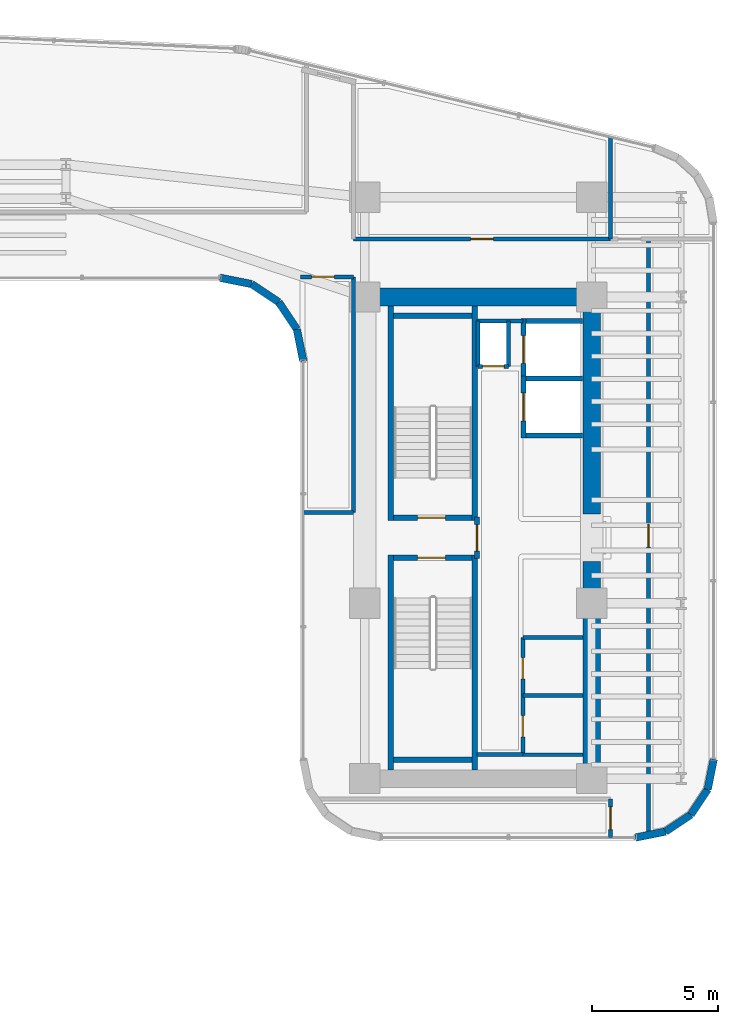
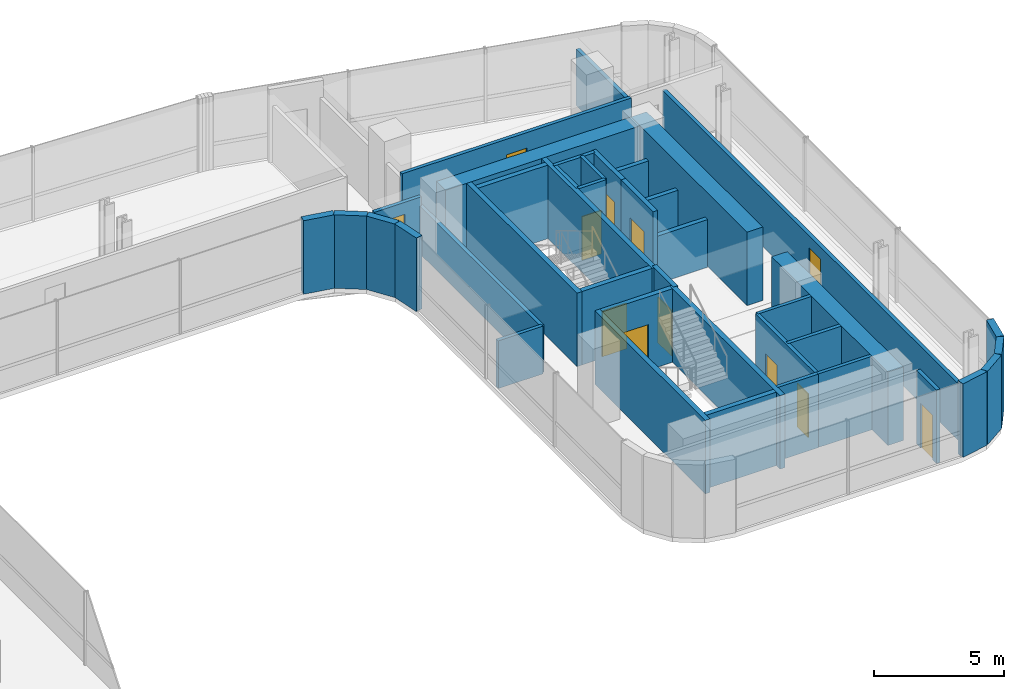
# One storey, part 29 of 35: 41 walls, 12 doors, 12 openings.
"""IFC4 building model written with IfcOpenShell, lengths in metres."""

from ifc_helpers import new_model, si_unit, direction, frame, frame_2d, origin, place, context, subcontext, project, spatial, rectangle, extrude, material, layer, layer_set, type_object, element, fill, save


model = new_model("IFC4")

# Units and contexts
model_context = context("Model", 3, precision=1e-05, world=origin(), true_north=direction((0.0, 1.0)))
body_context = subcontext(model_context, "Body", "Model", "MODEL_VIEW")
ifc_project = project(units=[si_unit("LENGTHUNIT", "METRE"), si_unit("AREAUNIT", "SQUARE_METRE"), si_unit("VOLUMEUNIT", "CUBIC_METRE"), si_unit("PLANEANGLEUNIT", "RADIAN"), si_unit("MASSUNIT", "GRAM", prefix="KILO")], contexts=[model_context])

# Site, building, storey
site_placement = place(None, origin())
site = spatial("IfcSite", under=ifc_project, at=site_placement, CompositionType="ELEMENT")
building_placement = place(site_placement, origin())
building = spatial("IfcBuilding", under=site, at=building_placement, Name="Valdorenza Pilgrim Sanctuary Tower", CompositionType="ELEMENT")
storey_placement = place(building_placement, frame((0.0, 0.0, 124.199951171875)))
storey = spatial("IfcBuildingStorey", under=building, at=storey_placement, Name="L31", CompositionType="ELEMENT", Elevation=124.199951171875)

# Wall, opening, door
ifc_material_1 = material(Name="Acoustic twin-stud gypsum partition", Category="gypsum")
ifc_layer_1 = layer(ifc_material_1, 0.159912109375, Name="Acoustic twin-stud gypsum partition")
ifc_layer_set_1 = layer_set([ifc_layer_1], Name="Acoustic twin-stud gypsum partition")
wall_type_1 = type_object("IfcWallType", Name="WAL-COR-160", PredefinedType="PARTITIONING", material=ifc_layer_set_1)
wall_1_placement = place(storey_placement, frame((20.35009765625, 6.800048828125, 0.0), z_axis=(0.0, 0.0, 1.0), x_axis=(1.0, 0.0, 0.0)))
wall_1 = element("IfcWall", 1, at=wall_1_placement, inside=storey, type_object=wall_type_1, Name="L31 Core B Riser South Wall", PredefinedType="PARTITIONING", context=body_context, shape_type="SweptSolid", body=[
    extrude(rectangle(XDim=1.199951171875, YDim=0.159912109375, at=frame_2d((0.60009765625, 0.0))), origin(), (0.0, 0.0, 1.0), 3.4599609375),
])
opening_1_placement = place(wall_1_placement, frame((0.175048828125, 0.0, 0.0)))
opening_1 = element("IfcOpeningElement", 2, at=opening_1_placement, cuts=wall_1, Name="Opening DR-RS1", PredefinedType="OPENING", context=body_context, shape_type="SweptSolid", body=[
    extrude(rectangle(XDim=0.85009765625, YDim=2.050048828125, at=frame_2d((0.425048828125, 1.02490234375))), frame((0.0, 0.0947265625, 0.0), z_axis=(0.0, -1.0, 0.0), x_axis=(1.0, 0.0, 0.0)), (0.0, 0.0, 1.0), 0.189697265625),
])
ifc_material_2 = material(Name="Painted galvanized steel", Category="steel")
door_type_1 = type_object("IfcDoorType", Name="DR-RSR-850", OperationType="NOTDEFINED", PredefinedType="DOOR", material=ifc_material_2)
door_1_placement = place(opening_1_placement, origin())
door_1 = element("IfcDoor", 3, at=door_1_placement, inside=storey, type_object=door_type_1, Name="L31 Core B Electrical Riser Door", OperationType="SINGLE_SWING_LEFT", OverallHeight=2.050048828125, OverallWidth=0.85009765625, PredefinedType="DOOR", context=body_context, shape_type="SweptSolid", body=[
    extrude(rectangle(XDim=0.85009765625, YDim=2.050048828125, at=frame_2d((0.425048828125, 1.02490234375))), frame((0.0, 0.02490234375, 0.0), z_axis=(0.0, -1.0, 0.0), x_axis=(1.0, 0.0, 0.0)), (0.0, 0.0, 1.0), 0.050048828125),
])
fill(opening_1, door_1)

# Walls
for number, where, z_axis, x_axis, name in (
    (4, (21.550048828125, 6.800048828125, 0.0), (0.0, 0.0, 1.0), (0.0, 1.0, 0.0), "L31 Core B Riser East Wall"),
    (5, (20.35009765625, 6.800048828125, 0.0), (0.0, 0.0, 1.0), (0.0, 1.0, 0.0), "L31 Core B Riser West Wall"),
):
    element("IfcWall", number, at=place(storey_placement, frame(where, z_axis=z_axis, x_axis=x_axis)), inside=storey, type_object=wall_type_1, Name=name, PredefinedType="PARTITIONING", context=body_context, shape_type="SweptSolid", body=[
        extrude(rectangle(XDim=1.800048828125, YDim=0.159912109375, at=frame_2d((0.89990234375, 0.0))), origin(), (0.0, 0.0, 1.0), 3.4599609375),
    ])
for number, where, z_axis, x_axis, name in (
    (6, (20.300048828125, -8.60009765625, 0.0), (0.0, 0.0, 1.0), (1.0, 0.0, 0.0), "L31 Core B Lift Hall South End Wall"),
    (7, (20.300048828125, 8.60009765625, 0.0), (0.0, 0.0, 1.0), (1.0, 0.0, 0.0), "L31 Core B Lift Hall North End Wall"),
):
    element("IfcWall", number, at=place(storey_placement, frame(where, z_axis=z_axis, x_axis=x_axis)), inside=storey, type_object=wall_type_1, Name=name, PredefinedType="PARTITIONING", context=body_context, shape_type="SweptSolid", body=[
        extrude(rectangle(XDim=1.820068359375, YDim=0.159912109375, at=frame_2d((0.91015625, 0.0))), origin(), (0.0, 0.0, 1.0), 3.4599609375),
    ])

# Wall, openings, doors
wall_2_placement = place(storey_placement, frame((22.1201171875, -8.60009765625, 0.0), z_axis=(0.0, 0.0, 1.0), x_axis=(0.0, 1.0, 0.0)))
wall_2 = element("IfcWall", 8, at=wall_2_placement, inside=storey, type_object=wall_type_1, Name="L31 Core B Freed Shaft West Wall", PredefinedType="PARTITIONING", context=body_context, shape_type="SweptSolid", body=[
    extrude(rectangle(XDim=4.650146484375, YDim=0.159912109375, at=frame_2d((2.3251953125, 0.0))), origin(), (0.0, 0.0, 1.0), 3.4599609375),
])
opening_2_placement = place(wall_2_placement, frame((0.699951171875, 0.0, 0.0)))
opening_2 = element("IfcOpeningElement", 9, at=opening_2_placement, cuts=wall_2, Name="Opening DR-RS1", PredefinedType="OPENING", context=body_context, shape_type="SweptSolid", body=[
    extrude(rectangle(XDim=0.85009765625, YDim=2.050048828125, at=frame_2d((0.425048828125, 1.02490234375))), frame((0.0, 0.0947265625, 0.0), z_axis=(0.0, -1.0, 0.0), x_axis=(1.0, 0.0, 0.0)), (0.0, 0.0, 1.0), 0.189697265625),
])
opening_3_placement = place(wall_2_placement, frame((3.0, 0.0, 0.0)))
opening_3 = element("IfcOpeningElement", 10, at=opening_3_placement, cuts=wall_2, Name="Opening DR-RS1", PredefinedType="OPENING", context=body_context, shape_type="SweptSolid", body=[
    extrude(rectangle(XDim=0.85009765625, YDim=2.050048828125, at=frame_2d((0.425048828125, 1.02490234375))), frame((0.0, 0.0947265625, 0.0), z_axis=(0.0, -1.0, 0.0), x_axis=(1.0, 0.0, 0.0)), (0.0, 0.0, 1.0), 0.189697265625),
])
door_2_placement = place(opening_2_placement, origin())
door_2 = element("IfcDoor", 11, at=door_2_placement, inside=storey, type_object=door_type_1, Name="L31 East Core Housekeeping Store Door", OperationType="SINGLE_SWING_RIGHT", OverallHeight=2.050048828125, OverallWidth=0.85009765625, PredefinedType="DOOR", context=body_context, shape_type="SweptSolid", body=[
    extrude(rectangle(XDim=0.85009765625, YDim=2.050048828125, at=frame_2d((0.425048828125, 1.02490234375))), frame((0.0, 0.02490234375, 0.0), z_axis=(0.0, -1.0, 0.0), x_axis=(1.0, 0.0, 0.0)), (0.0, 0.0, 1.0), 0.050048828125),
])
fill(opening_2, door_2)
door_3_placement = place(opening_3_placement, origin())
door_3 = element("IfcDoor", 12, at=door_3_placement, inside=storey, type_object=door_type_1, Name="L31 East Core Tea Pantry Door", OperationType="SINGLE_SWING_LEFT", OverallHeight=2.050048828125, OverallWidth=0.85009765625, PredefinedType="DOOR", context=body_context, shape_type="SweptSolid", body=[
    extrude(rectangle(XDim=0.85009765625, YDim=2.050048828125, at=frame_2d((0.425048828125, 1.02490234375))), frame((0.0, 0.02490234375, 0.0), z_axis=(0.0, -1.0, 0.0), x_axis=(1.0, 0.0, 0.0)), (0.0, 0.0, 1.0), 0.050048828125),
])
fill(opening_3, door_3)

# Wall
wall_3_placement = place(storey_placement, frame((22.1201171875, -6.25, 0.0), z_axis=(0.0, 0.0, 1.0), x_axis=(1.0, 0.0, 0.0)))
element("IfcWall", 13, at=wall_3_placement, inside=storey, type_object=wall_type_1, Name="L31 Core B Freed Split", PredefinedType="PARTITIONING", context=body_context, shape_type="SweptSolid", body=[
    extrude(rectangle(XDim=2.3798828125, YDim=0.159912109375, at=frame_2d((1.18994140625, 0.0))), origin(), (0.0, 0.0, 1.0), 3.4599609375),
])

# Wall, opening, door
wall_4_placement = place(storey_placement, frame((15.39990234375, 11.85009765625, 0.0), z_axis=(0.0, 0.0, 1.0), x_axis=(1.0, 0.0, 0.0)))
wall_4 = element("IfcWall", 14, at=wall_4_placement, inside=storey, type_object=wall_type_1, Name="L31 Wing B North Corridor Wall", PredefinedType="PARTITIONING", context=body_context, shape_type="SweptSolid", body=[
    extrude(rectangle(XDim=10.2001953125, YDim=0.159912109375, at=frame_2d((5.10009765625, 0.0))), origin(), (0.0, 0.0, 1.0), 2.833984375),
])
opening_4_placement = place(wall_4_placement, frame((4.64990234375, 0.0, 0.0)))
opening_4 = element("IfcOpeningElement", 15, at=opening_4_placement, cuts=wall_4, Name="Opening DR-RM1", PredefinedType="OPENING", context=body_context, shape_type="SweptSolid", body=[
    extrude(rectangle(XDim=0.89990234375, YDim=2.10009765625, at=frame_2d((0.449951171875, 1.050048828125))), frame((0.0, 0.0947265625, 0.0), z_axis=(0.0, -1.0, 0.0), x_axis=(1.0, 0.0, 0.0)), (0.0, 0.0, 1.0), 0.189697265625),
])
ifc_material_3 = material(Name="Solid-core European oak timber", Category="wood")
door_type_2 = type_object("IfcDoorType", Name="DR-ROOM-900", OperationType="NOTDEFINED", PredefinedType="DOOR", material=ifc_material_3)
door_4_placement = place(opening_4_placement, origin())
door_4 = element("IfcDoor", 16, at=door_4_placement, inside=storey, type_object=door_type_2, Name="L31 Curator Research Office L31-BN1 Door", OperationType="SINGLE_SWING_RIGHT", OverallHeight=2.10009765625, OverallWidth=0.89990234375, PredefinedType="DOOR", context=body_context, shape_type="SweptSolid", body=[
    extrude(rectangle(XDim=0.89990234375, YDim=2.10009765625, at=frame_2d((0.449951171875, 1.050048828125))), frame((0.0, 0.02490234375, 0.0), z_axis=(0.0, -1.0, 0.0), x_axis=(1.0, 0.0, 0.0)), (0.0, 0.0, 1.0), 0.050048828125),
])
fill(opening_4, door_4)

# Wall
wall_5_placement = place(storey_placement, frame((25.60009765625, 11.85009765625, 0.0), z_axis=(0.0, 0.0, 1.0), x_axis=(0.0, 1.0, 0.0)))
element("IfcWall", 17, at=wall_5_placement, inside=storey, type_object=wall_type_1, Name="L31 Wing B North East Wall", PredefinedType="PARTITIONING", context=body_context, shape_type="SweptSolid", body=[
    extrude(rectangle(XDim=4.042236328125, YDim=0.159912109375, at=frame_2d((2.02099609375, 0.0))), origin(), (0.0, 0.0, 1.0), 2.666015625),
])

# Wall, opening, door
wall_6_placement = place(storey_placement, frame((25.60009765625, -11.889892578125, 0.0), z_axis=(0.0, 0.0, 1.0), x_axis=(0.0, 1.0, 0.0)))
wall_6 = element("IfcWall", 18, at=wall_6_placement, inside=storey, type_object=wall_type_1, Name="L31 Wing B South-East Wall", PredefinedType="PARTITIONING", context=body_context, shape_type="SweptSolid", body=[
    extrude(rectangle(XDim=1.539794921875, YDim=0.159912109375, at=frame_2d((0.77001953125, 0.0))), origin(), (0.0, 0.0, 1.0), 3.4599609375),
])
opening_5_placement = place(wall_6_placement, frame((0.320068359375, 0.0, 0.0)))
opening_5 = element("IfcOpeningElement", 19, at=opening_5_placement, cuts=wall_6, Name="Opening DR-RM1", PredefinedType="OPENING", context=body_context, shape_type="SweptSolid", body=[
    extrude(rectangle(XDim=0.89990234375, YDim=2.10009765625, at=frame_2d((0.449951171875, 1.050048828125))), frame((0.0, 0.0947265625, 0.0), z_axis=(0.0, -1.0, 0.0), x_axis=(1.0, 0.0, 0.0)), (0.0, 0.0, 1.0), 0.189697265625),
])
door_5_placement = place(opening_5_placement, frame((0.89990234375, 0.0, 0.0), z_axis=(0.0, 0.0, 1.0), x_axis=(-1.0, 0.0, 0.0)))
door_5 = element("IfcDoor", 20, at=door_5_placement, inside=storey, type_object=door_type_2, Name="L31 Sacred Manuscript Archive L31-BS Door", OperationType="SINGLE_SWING_LEFT", OverallHeight=2.10009765625, OverallWidth=0.89990234375, PredefinedType="DOOR", context=body_context, shape_type="SweptSolid", body=[
    extrude(rectangle(XDim=0.89990234375, YDim=2.10009765625, at=frame_2d((0.449951171875, 1.050048828125))), frame((0.0, 0.02490234375, 0.0), z_axis=(0.0, -1.0, 0.0), x_axis=(1.0, 0.0, 0.0)), (0.0, 0.0, 1.0), 0.050048828125),
])
fill(opening_5, door_5)

wall_7_placement = place(storey_placement, frame((27.10009765625, -11.660888671875, 0.0), z_axis=(0.0, 0.0, 1.0), x_axis=(0.0, 1.0, 0.0)))
wall_7 = element("IfcWall", 21, at=wall_7_placement, inside=storey, type_object=wall_type_1, Name="L31 Wing B East Corridor Wall", PredefinedType="PARTITIONING", context=body_context, shape_type="SweptSolid", body=[
    extrude(rectangle(XDim=23.510986328125, YDim=0.159912109375, at=frame_2d((11.75537109375, 0.0))), origin(), (0.0, 0.0, 1.0), 2.666015625),
])
opening_6_placement = place(wall_7_placement, frame((11.304931640625, 0.0, 0.0)))
opening_6 = element("IfcOpeningElement", 22, at=opening_6_placement, cuts=wall_7, Name="Opening DR-RM1", PredefinedType="OPENING", context=body_context, shape_type="SweptSolid", body=[
    extrude(rectangle(XDim=0.89990234375, YDim=2.10009765625, at=frame_2d((0.449951171875, 1.050048828125))), frame((0.0, 0.0947265625, 0.0), z_axis=(0.0, -1.0, 0.0), x_axis=(1.0, 0.0, 0.0)), (0.0, 0.0, 1.0), 0.189697265625),
])
door_6_placement = place(opening_6_placement, frame((0.89990234375, 0.0, 0.0), z_axis=(0.0, 0.0, 1.0), x_axis=(-1.0, 0.0, 0.0)))
door_6 = element("IfcDoor", 23, at=door_6_placement, inside=storey, type_object=door_type_2, Name="L31 Open Plan Scholar Office L31-EB1 Door", OperationType="SINGLE_SWING_LEFT", OverallHeight=2.10009765625, OverallWidth=0.89990234375, PredefinedType="DOOR", context=body_context, shape_type="SweptSolid", body=[
    extrude(rectangle(XDim=0.89990234375, YDim=2.10009765625, at=frame_2d((0.449951171875, 1.050048828125))), frame((0.0, 0.02490234375, 0.0), z_axis=(0.0, -1.0, 0.0), x_axis=(1.0, 0.0, 0.0)), (0.0, 0.0, 1.0), 0.050048828125),
])
fill(opening_6, door_6)

wall_8_placement = place(storey_placement, frame((13.300048828125, 10.35009765625, 0.0), z_axis=(0.0, 0.0, 1.0), x_axis=(1.0, 0.0, 0.0)))
wall_8 = element("IfcWall", 24, at=wall_8_placement, inside=storey, type_object=wall_type_1, Name="L31 Courtyard Overlook North Wall", PredefinedType="PARTITIONING", context=body_context, shape_type="SweptSolid", body=[
    extrude(rectangle(XDim=2.099853515625, YDim=0.159912109375, at=frame_2d((1.0498046875, 0.0))), origin(), (0.0, 0.0, 1.0), 2.666015625),
])
opening_7_placement = place(wall_8_placement, frame((0.449951171875, 0.0, 0.0)))
opening_7 = element("IfcOpeningElement", 25, at=opening_7_placement, cuts=wall_8, Name="Opening DR-RM1", PredefinedType="OPENING", context=body_context, shape_type="SweptSolid", body=[
    extrude(rectangle(XDim=0.89990234375, YDim=2.10009765625, at=frame_2d((0.449951171875, 1.050048828125))), frame((0.0, 0.0947265625, 0.0), z_axis=(0.0, -1.0, 0.0), x_axis=(1.0, 0.0, 0.0)), (0.0, 0.0, 1.0), 0.189697265625),
])
door_7_placement = place(opening_7_placement, origin())
door_7 = element("IfcDoor", 26, at=door_7_placement, inside=storey, type_object=door_type_2, Name="L31 Courtyard Overlook Salon Door", OperationType="SINGLE_SWING_RIGHT", OverallHeight=2.10009765625, OverallWidth=0.89990234375, PredefinedType="DOOR", context=body_context, shape_type="SweptSolid", body=[
    extrude(rectangle(XDim=0.89990234375, YDim=2.10009765625, at=frame_2d((0.449951171875, 1.050048828125))), frame((0.0, 0.02490234375, 0.0), z_axis=(0.0, -1.0, 0.0), x_axis=(1.0, 0.0, 0.0)), (0.0, 0.0, 1.0), 0.050048828125),
])
fill(opening_7, door_7)

# Walls
wall_9_placement = place(storey_placement, frame((15.39990234375, 1.0, 0.0), z_axis=(0.0, 0.0, 1.0), x_axis=(0.0, 1.0, 0.0)))
element("IfcWall", 27, at=wall_9_placement, inside=storey, type_object=wall_type_1, Name="L31 Courtyard Overlook East Wall", PredefinedType="PARTITIONING", context=body_context, shape_type="SweptSolid", body=[
    extrude(rectangle(XDim=9.35009765625, YDim=0.159912109375, at=frame_2d((4.675048828125, 0.0))), origin(), (0.0, 0.0, 1.0), 2.2451171875),
])
wall_10_placement = place(storey_placement, frame((13.409912109375, 1.0, 0.0), z_axis=(0.0, 0.0, 1.0), x_axis=(1.0, 0.0, 0.0)))
element("IfcWall", 28, at=wall_10_placement, inside=storey, type_object=wall_type_1, Name="L31 Courtyard Overlook South Wall", PredefinedType="PARTITIONING", context=body_context, shape_type="SweptSolid", body=[
    extrude(rectangle(XDim=1.989990234375, YDim=0.159912109375, at=frame_2d((0.9951171875, 0.0))), origin(), (0.0, 0.0, 1.0), 2.2451171875),
])
ifc_material_4 = material(Name="Concrete C60/75", Category="concrete")
ifc_layer_2 = layer(ifc_material_4, 0.699951171875, Name="Concrete C60/75")
ifc_layer_set_2 = layer_set([ifc_layer_2], Name="Concrete C60/75")
wall_type_2 = type_object("IfcWallType", Name="WAL-COR-700", PredefinedType="SHEAR", material=ifc_layer_set_2)
for number, where, z_axis, x_axis, name in (
    (29, (24.85009765625, -9.89990234375, 0.0), (0.0, 0.0, 1.0), (0.0, 1.0, 0.0), "L31 Split Core B Shear Wall ES"),
    (30, (24.85009765625, 0.949951171875, 0.0), (0.0, 0.0, 1.0), (0.0, 1.0, 0.0), "L31 Split Core B Shear Wall EN"),
):
    element("IfcWall", number, at=place(storey_placement, frame(where, z_axis=z_axis, x_axis=x_axis)), inside=storey, type_object=wall_type_2, Name=name, PredefinedType="SHEAR", context=body_context, shape_type="SweptSolid", body=[
        extrude(rectangle(XDim=8.949951171875, YDim=0.699951171875, at=frame_2d((4.47509765625, 0.0))), origin(), (0.0, 0.0, 1.0), 3.4599609375),
    ])
wall_11_placement = place(storey_placement, frame((15.85009765625, 9.550048828125, 0.0), z_axis=(0.0, 0.0, 1.0), x_axis=(1.0, 0.0, 0.0)))
element("IfcWall", 31, at=wall_11_placement, inside=storey, type_object=wall_type_2, Name="L31 Split Core B Shear Wall N", PredefinedType="SHEAR", context=body_context, shape_type="SweptSolid", body=[
    extrude(rectangle(XDim=9.0, YDim=0.699951171875, at=frame_2d((4.5, 0.0))), origin(), (0.0, 0.0, 1.0), 3.4599609375),
])
ifc_material_5 = material(Name="Honed travertine limestone", Category="masonry")
ifc_layer_3 = layer(ifc_material_5, 0.300048828125, Name="Honed travertine limestone")
ifc_layer_set_3 = layer_set([ifc_layer_3], Name="Honed travertine limestone")
wall_type_3 = type_object("IfcWallType", Name="WAL-EXT-300", PredefinedType="SOLIDWALL", material=ifc_layer_set_3)
wall_12_placement = place(storey_placement, frame((29.68994140625, -8.789306640625, 0.0), z_axis=(0.0, 0.0, 1.0), x_axis=(-0.194996050505, -0.980804027463, 0.0)))
element("IfcWall", 32, at=wall_12_placement, inside=storey, type_object=wall_type_3, Name="L31 Rounded Wind-Corner Stone Pier 22", PredefinedType="SOLIDWALL", context=body_context, shape_type="SweptSolid", body=[
    extrude(rectangle(XDim=1.2158203125, YDim=0.300048828125, at=frame_2d((0.60791015625, 0.0))), origin(), (0.0, 0.0, 1.0), 3.4599609375),
])
for number, where, z_axis, x_axis, name in (
    (33, (29.452880859375, -9.981689453125, 0.0), (0.0, 0.0, 1.0), (-0.555635100982, -0.831426265255, 0.0), "L31 Rounded Wind-Corner Stone Pier 23"),
    (34, (28.783447265625, -10.9833984375, 0.0), (0.0, 0.0, 1.0), (-0.831426265255, -0.555635100982, 0.0), "L31 Rounded Wind-Corner Stone Pier 24"),
):
    element("IfcWall", number, at=place(storey_placement, frame(where, z_axis=z_axis, x_axis=x_axis)), inside=storey, type_object=wall_type_3, Name=name, PredefinedType="SOLIDWALL", context=body_context, shape_type="SweptSolid", body=[
        extrude(rectangle(XDim=1.204833984375, YDim=0.300048828125, at=frame_2d((0.6025390625, 0.0))), origin(), (0.0, 0.0, 1.0), 3.4599609375),
    ])
wall_13_placement = place(storey_placement, frame((27.78173828125, -11.65283203125, 0.0), z_axis=(0.0, 0.0, 1.0), x_axis=(-0.980811661072, -0.194957650543, 0.0)))
element("IfcWall", 35, at=wall_13_placement, inside=storey, type_object=wall_type_3, Name="L31 Rounded Wind-Corner Stone Pier 25", PredefinedType="SOLIDWALL", context=body_context, shape_type="SweptSolid", body=[
    extrude(rectangle(XDim=1.216064453125, YDim=0.300048828125, at=frame_2d((0.60791015625, 0.0))), origin(), (0.0, 0.0, 1.0), 3.4599609375),
])
wall_14_placement = place(storey_placement, frame((13.409912109375, 7.0107421875, 0.0), z_axis=(0.0, 0.0, 1.0), x_axis=(-0.195090163074, 0.980785312019, 0.0)))
element("IfcWall", 36, at=wall_14_placement, inside=storey, type_object=wall_type_3, Name="L31 Rounded Wind-Corner Stone Pier 32", PredefinedType="SOLIDWALL", context=body_context, shape_type="SweptSolid", body=[
    extrude(rectangle(XDim=1.281494140625, YDim=0.300048828125, at=frame_2d((0.640625, 0.0))), origin(), (0.0, 0.0, 1.0), 3.4599609375),
])
for number, where, z_axis, x_axis, name in (
    (37, (13.159912109375, 8.267578125, 0.0), (0.0, 0.0, 1.0), (-0.555615398575, 0.831439431869, 0.0), "L31 Rounded Wind-Corner Stone Pier 33"),
    (38, (12.44189453125, 9.342041015625, 0.0), (0.0, 0.0, 1.0), (-0.831439431869, 0.555615398575, 0.0), "L31 Rounded Wind-Corner Stone Pier 34"),
):
    element("IfcWall", number, at=place(storey_placement, frame(where, z_axis=z_axis, x_axis=x_axis)), inside=storey, type_object=wall_type_3, Name=name, PredefinedType="SOLIDWALL", context=body_context, shape_type="SweptSolid", body=[
        extrude(rectangle(XDim=1.292236328125, YDim=0.300048828125, at=frame_2d((0.64599609375, 0.0))), origin(), (0.0, 0.0, 1.0), 3.4599609375),
    ])
wall_15_placement = place(storey_placement, frame((11.367431640625, 10.06005859375, 0.0), z_axis=(0.0, 0.0, 1.0), x_axis=(-0.980778058848, 0.195126623715, 0.0)))
element("IfcWall", 39, at=wall_15_placement, inside=storey, type_object=wall_type_3, Name="L31 Rounded Wind-Corner Stone Pier 35", PredefinedType="SOLIDWALL", context=body_context, shape_type="SweptSolid", body=[
    extrude(rectangle(XDim=1.28125, YDim=0.300048828125, at=frame_2d((0.640625, 0.0))), origin(), (0.0, 0.0, 1.0), 3.4599609375),
])

# Wall, opening, door
ifc_material_6 = material(Name="Gypsum shaftwall partition", Category="gypsum")
ifc_layer_4 = layer(ifc_material_6, 0.199951171875, Name="Gypsum shaftwall partition")
ifc_layer_set_4 = layer_set([ifc_layer_4], Name="Gypsum shaftwall partition")
wall_type_4 = type_object("IfcWallType", Name="WAL-FFL-200", PredefinedType="PARTITIONING", material=ifc_layer_set_4)
wall_16_placement = place(storey_placement, frame((20.300048828125, -0.820068359375, 0.0), z_axis=(0.0, 0.0, 1.0), x_axis=(0.0, 1.0, 0.0)))
wall_16 = element("IfcWall", 40, at=wall_16_placement, inside=storey, type_object=wall_type_4, Name="L31 Core B Firefighting Lobby East Wall", PredefinedType="PARTITIONING", context=body_context, shape_type="SweptSolid", body=[
    extrude(rectangle(XDim=1.64013671875, YDim=0.199951171875, at=frame_2d((0.820068359375, 0.0))), origin(), (0.0, 0.0, 1.0), 3.4599609375),
])
opening_8_placement = place(wall_16_placement, frame((0.294921875, 0.0, 0.0)))
opening_8 = element("IfcOpeningElement", 41, at=opening_8_placement, cuts=wall_16, Name="Opening DR-FL1", PredefinedType="OPENING", context=body_context, shape_type="SweptSolid", body=[
    extrude(rectangle(XDim=1.050048828125, YDim=2.14990234375, at=frame_2d((0.52490234375, 1.074951171875))), frame((0.0, 0.11474609375, 0.0), z_axis=(0.0, -1.0, 0.0), x_axis=(1.0, 0.0, 0.0)), (0.0, 0.0, 1.0), 0.229736328125),
])
door_type_3 = type_object("IfcDoorType", Name="DR-FFL-1050", OperationType="NOTDEFINED", PredefinedType="DOOR", material=ifc_material_2)
door_8_placement = place(opening_8_placement, origin())
door_8 = element("IfcDoor", 42, at=door_8_placement, inside=storey, type_object=door_type_3, Name="L31 Core B Firefighting Lobby Door", OperationType="SINGLE_SWING_RIGHT", OverallHeight=2.14990234375, OverallWidth=1.050048828125, PredefinedType="DOOR", context=body_context, shape_type="SweptSolid", body=[
    extrude(rectangle(XDim=1.050048828125, YDim=2.14990234375, at=frame_2d((0.52490234375, 1.074951171875))), frame((0.0, 0.02490234375, 0.0), z_axis=(0.0, -1.0, 0.0), x_axis=(1.0, 0.0, 0.0)), (0.0, 0.0, 1.0), 0.050048828125),
])
fill(opening_8, door_8)

ifc_material_7 = material(Name="Autoclaved aerated concrete blockwork", Category="masonry")
ifc_layer_5 = layer(ifc_material_7, 0.199951171875, Name="Autoclaved aerated concrete blockwork")
ifc_layer_set_5 = layer_set([ifc_layer_5], Name="Autoclaved aerated concrete blockwork")
wall_type_5 = type_object("IfcWallType", Name="WAL-SHF-200", PredefinedType="MOVABLE", material=ifc_layer_set_5)
wall_17_placement = place(storey_placement, frame((22.14990234375, 3.949951171875, 0.0), z_axis=(0.0, 0.0, 1.0), x_axis=(0.0, 1.0, 0.0)))
wall_17 = element("IfcWall", 43, at=wall_17_placement, inside=storey, type_object=wall_type_5, Name="L31 Lift PL-07 Hoistway Wall West", PredefinedType="MOVABLE", context=body_context, shape_type="SweptSolid", body=[
    extrude(rectangle(XDim=2.47509765625, YDim=0.199951171875, at=frame_2d((1.237548828125, 0.0))), origin(), (0.0, 0.0, 1.0), 3.4599609375),
])
opening_9_placement = place(wall_17_placement, frame((0.6875, 0.0, 0.0)))
opening_9 = element("IfcOpeningElement", 44, at=opening_9_placement, cuts=wall_17, Name="Opening LD-01", PredefinedType="OPENING", context=body_context, shape_type="SweptSolid", body=[
    extrude(rectangle(XDim=1.10009765625, YDim=2.10009765625, at=frame_2d((0.550048828125, 1.050048828125))), frame((0.0, 0.11474609375, 0.0), z_axis=(0.0, -1.0, 0.0), x_axis=(1.0, 0.0, 0.0)), (0.0, 0.0, 1.0), 0.229736328125),
])
ifc_material_8 = material(Name="Brushed stainless steel Grade 316", Category="steel")
door_type_4 = type_object("IfcDoorType", Name="DR-LFT-1100", OperationType="DOUBLE_DOOR_SLIDING", PredefinedType="DOOR", material=ifc_material_8)
door_9_placement = place(opening_9_placement, origin())
door_9 = element("IfcDoor", 45, at=door_9_placement, inside=storey, type_object=door_type_4, Name="L31 Lift PL-07 Sliding Landing Door", OperationType="DOUBLE_DOOR_SLIDING", OverallHeight=2.10009765625, OverallWidth=1.10009765625, PredefinedType="DOOR", context=body_context, shape_type="SweptSolid", body=[
    extrude(rectangle(XDim=1.10009765625, YDim=2.10009765625, at=frame_2d((0.550048828125, 1.050048828125))), frame((0.0, 0.02490234375, 0.0), z_axis=(0.0, -1.0, 0.0), x_axis=(1.0, 0.0, 0.0)), (0.0, 0.0, 1.0), 0.050048828125),
])
fill(opening_9, door_9)

# Walls
for number, where, z_axis, x_axis, name in (
    (46, (22.25, 4.050048828125, 0.0), (0.0, 0.0, 1.0), (1.0, 0.0, 0.0), "L31 Lift PL-07 Hoistway Wall South"),
    (47, (22.25, 6.324951171875, 0.0), (0.0, 0.0, 1.0), (1.0, 0.0, 0.0), "L31 Lift PL-07 Hoistway Wall North"),
):
    element("IfcWall", number, at=place(storey_placement, frame(where, z_axis=z_axis, x_axis=x_axis)), inside=storey, type_object=wall_type_5, Name=name, PredefinedType="MOVABLE", context=body_context, shape_type="SweptSolid", body=[
        extrude(rectangle(XDim=2.22998046875, YDim=0.199951171875, at=frame_2d((1.114990234375, 0.0))), origin(), (0.0, 0.0, 1.0), 2.2451171875),
    ])

# Wall, opening, door
wall_18_placement = place(storey_placement, frame((22.14990234375, 6.22509765625, 0.0), z_axis=(0.0, 0.0, 1.0), x_axis=(0.0, 1.0, 0.0)))
wall_18 = element("IfcWall", 48, at=wall_18_placement, inside=storey, type_object=wall_type_5, Name="L31 Lift PL-08 Hoistway Wall West", PredefinedType="MOVABLE", context=body_context, shape_type="SweptSolid", body=[
    extrude(rectangle(XDim=2.474853515625, YDim=0.199951171875, at=frame_2d((1.2373046875, 0.0))), origin(), (0.0, 0.0, 1.0), 3.4599609375),
])
opening_10_placement = place(wall_18_placement, frame((0.6875, 0.0, 0.0)))
opening_10 = element("IfcOpeningElement", 49, at=opening_10_placement, cuts=wall_18, Name="Opening LD-01", PredefinedType="OPENING", context=body_context, shape_type="SweptSolid", body=[
    extrude(rectangle(XDim=1.10009765625, YDim=2.10009765625, at=frame_2d((0.550048828125, 1.050048828125))), frame((0.0, 0.11474609375, 0.0), z_axis=(0.0, -1.0, 0.0), x_axis=(1.0, 0.0, 0.0)), (0.0, 0.0, 1.0), 0.229736328125),
])
door_10_placement = place(opening_10_placement, origin())
door_10 = element("IfcDoor", 50, at=door_10_placement, inside=storey, type_object=door_type_4, Name="L31 Lift PL-08 Sliding Landing Door", OperationType="DOUBLE_DOOR_SLIDING", OverallHeight=2.10009765625, OverallWidth=1.10009765625, PredefinedType="DOOR", context=body_context, shape_type="SweptSolid", body=[
    extrude(rectangle(XDim=1.10009765625, YDim=2.10009765625, at=frame_2d((0.550048828125, 1.050048828125))), frame((0.0, 0.02490234375, 0.0), z_axis=(0.0, -1.0, 0.0), x_axis=(1.0, 0.0, 0.0)), (0.0, 0.0, 1.0), 0.050048828125),
])
fill(opening_10, door_10)

# Walls
wall_19_placement = place(storey_placement, frame((22.25, 8.60009765625, 0.0), z_axis=(0.0, 0.0, 1.0), x_axis=(1.0, 0.0, 0.0)))
element("IfcWall", 51, at=wall_19_placement, inside=storey, type_object=wall_type_5, Name="L31 Lift PL-08 Hoistway Wall North", PredefinedType="MOVABLE", context=body_context, shape_type="SweptSolid", body=[
    extrude(rectangle(XDim=2.22998046875, YDim=0.199951171875, at=frame_2d((1.114990234375, 0.0))), origin(), (0.0, 0.0, 1.0), 2.2451171875),
])
ifc_material_9 = material(Name="Concrete C40/50", Category="concrete")
ifc_layer_6 = layer(ifc_material_9, 0.219970703125, Name="Concrete C40/50")
ifc_layer_set_6 = layer_set([ifc_layer_6], Name="Concrete C40/50")
wall_type_6 = type_object("IfcWallType", Name="WAL-STR-SHF-220", PredefinedType="SHEAR", material=ifc_layer_set_6)
for number, where, z_axis, x_axis, name in (
    (52, (16.889892578125, 0.679931640625, 0.0), (0.0, 0.0, 1.0), (0.0, 1.0, 0.0), "L31 ST-B1 Structural Stairwell Wall W"),
    (53, (20.219970703125, 0.679931640625, 0.0), (0.0, 0.0, 1.0), (0.0, 1.0, 0.0), "L31 ST-B1 Structural Stairwell Wall E"),
):
    element("IfcWall", number, at=place(storey_placement, frame(where, z_axis=z_axis, x_axis=x_axis)), inside=storey, type_object=wall_type_6, Name=name, PredefinedType="SHEAR", context=body_context, shape_type="SweptSolid", body=[
        extrude(rectangle(XDim=8.52001953125, YDim=0.219970703125, at=frame_2d((4.260009765625, 0.0))), origin(), (0.0, 0.0, 1.0), 3.4599609375),
    ])

# Wall, opening, door
wall_20_placement = place(storey_placement, frame((17.0, 0.7900390625, 0.0), z_axis=(0.0, 0.0, 1.0), x_axis=(1.0, 0.0, 0.0)))
wall_20 = element("IfcWall", 54, at=wall_20_placement, inside=storey, type_object=wall_type_6, Name="L31 ST-B1 Structural Stairwell Wall S", PredefinedType="SHEAR", context=body_context, shape_type="SweptSolid", body=[
    extrude(rectangle(XDim=3.110107421875, YDim=0.219970703125, at=frame_2d((1.55517578125, 0.0))), origin(), (0.0, 0.0, 1.0), 3.4599609375),
])
opening_11_placement = place(wall_20_placement, frame((0.949951171875, 0.0, 0.0)))
opening_11 = element("IfcOpeningElement", 55, at=opening_11_placement, cuts=wall_20, Name="Opening DR-ST1", PredefinedType="OPENING", context=body_context, shape_type="SweptSolid", body=[
    extrude(rectangle(XDim=1.10009765625, YDim=2.14990234375, at=frame_2d((0.550048828125, 1.074951171875))), frame((0.0, 0.125, 0.0), z_axis=(0.0, -1.0, 0.0), x_axis=(1.0, 0.0, 0.0)), (0.0, 0.0, 1.0), 0.249755859375),
])
door_type_5 = type_object("IfcDoorType", Name="DR-STAIR-1100", OperationType="NOTDEFINED", PredefinedType="DOOR", material=ifc_material_2)
door_11_placement = place(opening_11_placement, frame((1.10009765625, 0.0, 0.0), z_axis=(0.0, 0.0, 1.0), x_axis=(-1.0, 0.0, 0.0)))
door_11 = element("IfcDoor", 56, at=door_11_placement, inside=storey, type_object=door_type_5, Name="L31 Exit Stair ST-B1 Door", OperationType="SINGLE_SWING_LEFT", OverallHeight=2.14990234375, OverallWidth=1.10009765625, PredefinedType="DOOR", context=body_context, shape_type="SweptSolid", body=[
    extrude(rectangle(XDim=1.10009765625, YDim=2.14990234375, at=frame_2d((0.550048828125, 1.074951171875))), frame((0.0, 0.02490234375, 0.0), z_axis=(0.0, -1.0, 0.0), x_axis=(1.0, 0.0, 0.0)), (0.0, 0.0, 1.0), 0.050048828125),
])
fill(opening_11, door_11)

# Walls
wall_21_placement = place(storey_placement, frame((17.0, 8.81005859375, 0.0), z_axis=(0.0, 0.0, 1.0), x_axis=(1.0, 0.0, 0.0)))
element("IfcWall", 57, at=wall_21_placement, inside=storey, type_object=wall_type_6, Name="L31 ST-B1 Structural Stairwell Wall N", PredefinedType="SHEAR", context=body_context, shape_type="SweptSolid", body=[
    extrude(rectangle(XDim=3.110107421875, YDim=0.219970703125, at=frame_2d((1.55517578125, 0.0))), origin(), (0.0, 0.0, 1.0), 3.4599609375),
])
for number, where, z_axis, x_axis, name in (
    (58, (16.889892578125, -9.199951171875, 0.0), (0.0, 0.0, 1.0), (0.0, 1.0, 0.0), "L31 ST-B2 Structural Stairwell Wall W"),
    (59, (20.219970703125, -9.199951171875, 0.0), (0.0, 0.0, 1.0), (0.0, 1.0, 0.0), "L31 ST-B2 Structural Stairwell Wall E"),
):
    element("IfcWall", number, at=place(storey_placement, frame(where, z_axis=z_axis, x_axis=x_axis)), inside=storey, type_object=wall_type_6, Name=name, PredefinedType="SHEAR", context=body_context, shape_type="SweptSolid", body=[
        extrude(rectangle(XDim=8.52001953125, YDim=0.219970703125, at=frame_2d((4.260009765625, 0.0))), origin(), (0.0, 0.0, 1.0), 3.4599609375),
    ])
wall_22_placement = place(storey_placement, frame((17.0, -8.81005859375, 0.0), z_axis=(0.0, 0.0, 1.0), x_axis=(1.0, 0.0, 0.0)))
element("IfcWall", 60, at=wall_22_placement, inside=storey, type_object=wall_type_6, Name="L31 ST-B2 Structural Stairwell Wall S", PredefinedType="SHEAR", context=body_context, shape_type="SweptSolid", body=[
    extrude(rectangle(XDim=3.110107421875, YDim=0.219970703125, at=frame_2d((1.55517578125, 0.0))), origin(), (0.0, 0.0, 1.0), 3.4599609375),
])

# Wall, opening, door
wall_23_placement = place(storey_placement, frame((17.0, -0.7900390625, 0.0), z_axis=(0.0, 0.0, 1.0), x_axis=(1.0, 0.0, 0.0)))
wall_23 = element("IfcWall", 61, at=wall_23_placement, inside=storey, type_object=wall_type_6, Name="L31 ST-B2 Structural Stairwell Wall N", PredefinedType="SHEAR", context=body_context, shape_type="SweptSolid", body=[
    extrude(rectangle(XDim=3.110107421875, YDim=0.219970703125, at=frame_2d((1.55517578125, 0.0))), origin(), (0.0, 0.0, 1.0), 3.4599609375),
])
opening_12_placement = place(wall_23_placement, frame((0.949951171875, 0.0, 0.0)))
opening_12 = element("IfcOpeningElement", 62, at=opening_12_placement, cuts=wall_23, Name="Opening DR-ST1", PredefinedType="OPENING", context=body_context, shape_type="SweptSolid", body=[
    extrude(rectangle(XDim=1.10009765625, YDim=2.14990234375, at=frame_2d((0.550048828125, 1.074951171875))), frame((0.0, 0.125, 0.0), z_axis=(0.0, -1.0, 0.0), x_axis=(1.0, 0.0, 0.0)), (0.0, 0.0, 1.0), 0.249755859375),
])
door_12_placement = place(opening_12_placement, origin())
door_12 = element("IfcDoor", 63, at=door_12_placement, inside=storey, type_object=door_type_5, Name="L31 Exit Stair ST-B2 Door", OperationType="SINGLE_SWING_RIGHT", OverallHeight=2.14990234375, OverallWidth=1.10009765625, PredefinedType="DOOR", context=body_context, shape_type="SweptSolid", body=[
    extrude(rectangle(XDim=1.10009765625, YDim=2.14990234375, at=frame_2d((0.550048828125, 1.074951171875))), frame((0.0, 0.02490234375, 0.0), z_axis=(0.0, -1.0, 0.0), x_axis=(1.0, 0.0, 0.0)), (0.0, 0.0, 1.0), 0.050048828125),
])
fill(opening_12, door_12)

# Walls
ifc_layer_7 = layer(ifc_material_1, 0.14990234375, Name="Acoustic twin-stud gypsum partition")
ifc_layer_set_7 = layer_set([ifc_layer_7], Name="Acoustic twin-stud gypsum partition")
wall_type_7 = type_object("IfcWallType", Name="WAL-UNT-150", PredefinedType="PARTITIONING", material=ifc_layer_set_7)
for number, where, z_axis, x_axis, name in (
    (64, (22.1201171875, -3.949951171875, 0.0), (0.0, 0.0, 1.0), (1.0, 0.0, 0.0), "L31 Core B Freed Shaft North Wall"),
    (65, (22.1201171875, -8.60009765625, 0.0), (0.0, 0.0, 1.0), (1.0, 0.0, 0.0), "L31 Core B Freed Shaft South Wall"),
):
    element("IfcWall", number, at=place(storey_placement, frame(where, z_axis=z_axis, x_axis=x_axis)), inside=storey, type_object=wall_type_7, Name=name, PredefinedType="PARTITIONING", context=body_context, shape_type="SweptSolid", body=[
        extrude(rectangle(XDim=2.3798828125, YDim=0.14990234375, at=frame_2d((1.18994140625, 0.0))), origin(), (0.0, 0.0, 1.0), 3.4599609375),
    ])

save(model, "model.ifc")
